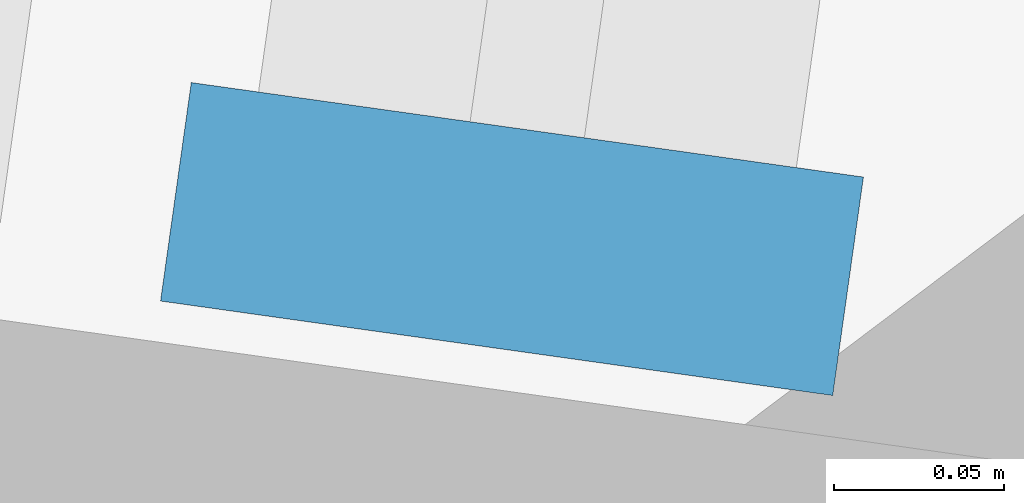
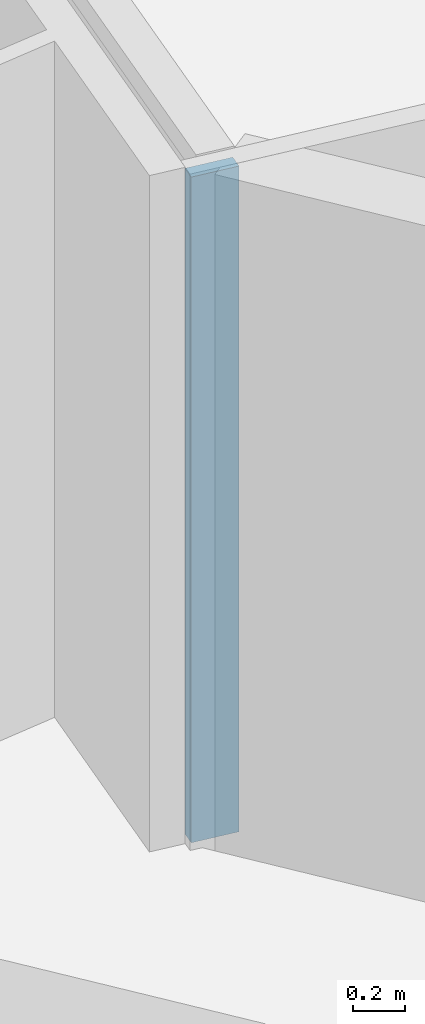
# One storey, part 2 of 49: 1 member, 1 element without a shape of its own.
"""IFC4 building model written with IfcOpenShell, lengths in metres."""

from ifc_helpers import new_model, si_unit, direction, frame, origin, origin_2d, place, context, subcontext, project, spatial, rectangle, extrude, material, material_profile, profile_set, type_object, element, aggregate, save


model = new_model("IFC4")

# Units and contexts
model_context = context("Model", 3, precision=1e-05, world=origin(), true_north=direction((0.0, 1.0)))
body_context = subcontext(model_context, "Body", "Model", "MODEL_VIEW")
ifc_project = project(units=[si_unit("LENGTHUNIT", "METRE"), si_unit("AREAUNIT", "SQUARE_METRE"), si_unit("VOLUMEUNIT", "CUBIC_METRE"), si_unit("PLANEANGLEUNIT", "RADIAN"), si_unit("MASSUNIT", "GRAM", prefix="KILO")], contexts=[model_context])

# Site, building, storey
site_placement = place(None, origin())
site = spatial("IfcSite", under=ifc_project, at=site_placement, CompositionType="ELEMENT")
building_placement = place(site_placement, origin())
building = spatial("IfcBuilding", under=site, at=building_placement, Name="Mirante Cascada Hotel Towers", CompositionType="ELEMENT")
storey_placement = place(building_placement, frame((0.0, 0.0, 66.1)))
storey = spatial("IfcBuildingStorey", under=building, at=storey_placement, Name="L13", CompositionType="ELEMENT", Elevation=66.1)

# Curtain wall, member
ifc_material_1 = material(Name="Aluminium mullion and transom frame with clear laminated glass", Category="aluminium")
curtain_wall_type = type_object("IfcCurtainWallType", Name="End ribbon curtain wall ECW2", PredefinedType="NOTDEFINED", material=ifc_material_1)
curtain_wall_placement = place(storey_placement, origin())
curtain_wall = element("IfcCurtainWall", 1, at=curtain_wall_placement, inside=storey, type_object=curtain_wall_type, Name="Outer end wall T1 L13", PredefinedType="NOTDEFINED")
ifc_material_2 = material(Name="Anodised aluminium extrusion", Category="aluminium")
ifc_material_profile = material_profile(ifc_material_2, rectangle(XDim=0.2, YDim=0.065, at=origin_2d()), Name="ECW2 MULLION 65x200")
ifc_profile_set = profile_set([ifc_material_profile], Name="Anodised aluminium extrusion")
member_type = type_object("IfcMemberType", Name="ECW2 mullion 65x200", PredefinedType="MULLION", material=ifc_profile_set)
member_placement = place(storey_placement, frame((-103.1556, -6.2656, 0.1), z_axis=(0.0, 0.0, 1.0), x_axis=(-0.9902681, 0.1391731, 0.0)))
member = element("IfcMember", 2, at=member_placement, type_object=member_type, Name="ECW2 mullion 1", PredefinedType="MULLION", context=body_context, shape_type="SweptSolid", body=[
    extrude(rectangle(XDim=0.2, YDim=0.065, at=origin_2d()), origin(), (0.0, 0.0, 1.0), 3.15),
])
aggregate(curtain_wall, [member])

save(model, "model.ifc")
